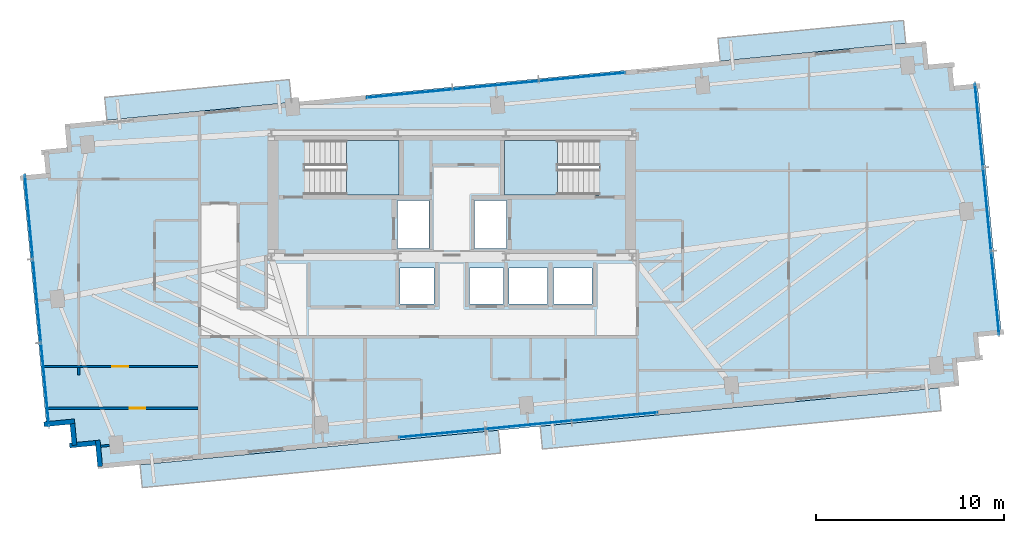
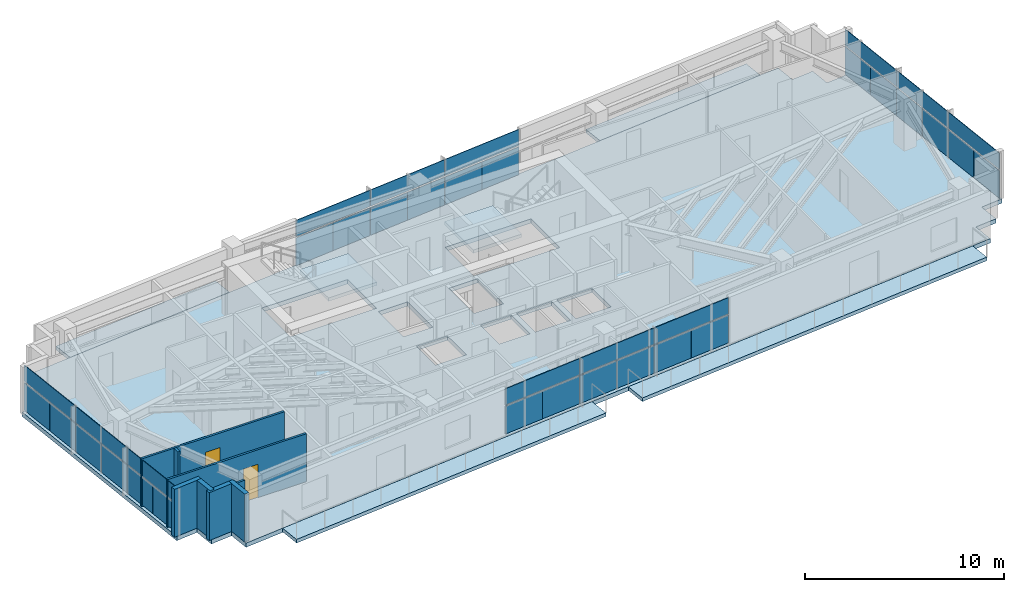
# One storey, part 12 of 18: 36 plates, 8 walls, 7 slabs, 2 doors, 2 openings, 6 elements without a shape of their own.
"""IFC4 building model written with IfcOpenShell, lengths in metres."""

from ifc_helpers import new_model, si_unit, direction, frame, frame_2d, origin, origin_2d, place, context, subcontext, project, spatial, polyline, rectangle, outline, extrude, source, transform, mapped, material, layer, layer_set, type_object, type_shapes, element, fill, aggregate, save


model = new_model("IFC4")

# Units and contexts
model_context = context("Model", 3, precision=1e-05, world=origin(), true_north=direction((0.0, 1.0)))
body_context = subcontext(model_context, "Body", "Model", "MODEL_VIEW")
ifc_project = project(units=[si_unit("LENGTHUNIT", "METRE"), si_unit("AREAUNIT", "SQUARE_METRE"), si_unit("VOLUMEUNIT", "CUBIC_METRE"), si_unit("PLANEANGLEUNIT", "RADIAN"), si_unit("MASSUNIT", "GRAM", prefix="KILO")], contexts=[model_context])

# Site, building, storey
site_placement = place(None, origin())
site = spatial("IfcSite", under=ifc_project, at=site_placement, CompositionType="ELEMENT")
building_placement = place(site_placement, origin())
building = spatial("IfcBuilding", under=site, at=building_placement, Name="Astriad Promenade Condominiums", CompositionType="ELEMENT")
storey_placement = place(building_placement, frame((0.0, 0.0, 173.0)))
storey = spatial("IfcBuildingStorey", under=building, at=storey_placement, Name="L49", CompositionType="ELEMENT", Elevation=173.0)

# Slab
ifc_material_1 = material(Name="Concrete C50/60", Category="concrete")
ifc_layer_1 = layer(ifc_material_1, 0.260009765625)
ifc_layer_set_1 = layer_set([ifc_layer_1], Name="Concrete C50/60")
slab_type_1 = type_object("IfcSlabType", Name="CONCRETE TOWER FLOOR SLAB 260", PredefinedType="FLOOR", material=ifc_layer_set_1)
slab_1_placement = place(storey_placement, frame((0.0, 0.0, -0.260009765625)))
element("IfcSlab", 1, at=slab_1_placement, inside=storey, type_object=slab_type_1, Name="Structural Floor Slab (L49)", PredefinedType="FLOOR", context=body_context, shape_type="SweptSolid", body=[
    extrude(outline(polyline([(17.187744140625, 6.137939453125), (62.975830078125, 10.546875), (62.856201171875, 11.791015625), (64.100341796875, 11.910888671875), (63.98046875, 13.155029296875), (65.224853515625, 13.27490234375), (63.9404296875, 26.61328125), (62.6962890625, 26.493408203125), (62.576416015625, 27.73779296875), (61.33203125, 27.617919921875), (61.21240234375, 28.862060546875), (15.424072265625, 24.453125), (15.5439453125, 23.208984375), (14.2998046875, 23.089111328125), (14.41943359375, 21.844970703125), (13.17529296875, 21.72509765625), (14.459716796875, 8.38671875), (15.703857421875, 8.506591796875), (15.823486328125, 7.26220703125), (17.06787109375, 7.382080078125), (17.187744140625, 6.137939453125)]), holes=[polyline([(28.175048828125, 20.699951171875), (33.175048828125, 20.699951171875), (33.175048828125, 23.60009765625), (28.175048828125, 23.60009765625), (28.175048828125, 20.699951171875)]), polyline([(38.824951171875, 20.699951171875), (43.824951171875, 20.699951171875), (43.824951171875, 23.60009765625), (38.824951171875, 23.60009765625), (38.824951171875, 20.699951171875)]), polyline([(33.10009765625, 17.85009765625), (34.800048828125, 17.85009765625), (34.800048828125, 20.39990234375), (33.10009765625, 20.39990234375), (33.10009765625, 17.85009765625)]), polyline([(37.199951171875, 17.85009765625), (38.89990234375, 17.85009765625), (38.89990234375, 20.39990234375), (37.199951171875, 20.39990234375), (37.199951171875, 17.85009765625)]), polyline([(33.25, 14.89990234375), (35.050048828125, 14.89990234375), (35.050048828125, 16.800048828125), (33.25, 16.800048828125), (33.25, 14.89990234375)]), polyline([(36.949951171875, 14.89990234375), (38.75, 14.89990234375), (38.75, 16.800048828125), (36.949951171875, 16.800048828125), (36.949951171875, 14.89990234375)]), polyline([(39.050048828125, 14.89990234375), (41.10009765625, 14.89990234375), (41.10009765625, 16.800048828125), (39.050048828125, 16.800048828125), (39.050048828125, 14.89990234375)]), polyline([(41.39990234375, 14.89990234375), (43.449951171875, 14.89990234375), (43.449951171875, 16.800048828125), (41.39990234375, 16.800048828125), (41.39990234375, 14.89990234375)])]), origin(), (0.0, 0.0, 1.0), 0.260009765625),
])

# Stair, slab
stair_type = type_object("IfcStairType", Name="STR-CORE-1350", PredefinedType="HALF_TURN_STAIR", material=ifc_material_1)
stair_1_placement = place(storey_placement, origin())
stair_1 = element("IfcStair", 2, at=stair_1_placement, inside=storey, type_object=stair_type, Name="L49 Enclosed Core Exit Stair ST-1", PredefinedType="HALF_TURN_STAIR")
ifc_layer_2 = layer(ifc_material_1, 0.219970703125)
ifc_layer_set_2 = layer_set([ifc_layer_2], Name="Concrete C50/60")
slab_type_2 = type_object("IfcSlabType", Name="SLB-LANDING-220", PredefinedType="LANDING", material=ifc_layer_set_2)
slab_2_placement = place(storey_placement, frame((0.0, 0.0, 1.39990234375)))
slab_2 = element("IfcSlab", 3, at=slab_2_placement, type_object=slab_type_2, Name="ST-1 landing 1", PredefinedType="LANDING", context=body_context, shape_type="SweptSolid", body=[
    extrude(outline(polyline([(30.389892578125, 20.699951171875), (33.199951171875, 20.699951171875), (33.199951171875, 23.60009765625), (30.389892578125, 23.60009765625), (30.389892578125, 20.699951171875)])), origin(), (0.0, 0.0, 1.0), 0.2001953125),
])
aggregate(stair_1, [slab_2])

stair_2_placement = place(storey_placement, origin())
stair_2 = element("IfcStair", 4, at=stair_2_placement, inside=storey, type_object=stair_type, Name="L49 Enclosed Core Exit Stair ST-2", PredefinedType="HALF_TURN_STAIR")
slab_3_placement = place(storey_placement, frame((0.0, 0.0, 1.39990234375)))
slab_3 = element("IfcSlab", 5, at=slab_3_placement, type_object=slab_type_2, Name="ST-2 landing 1", PredefinedType="LANDING", context=body_context, shape_type="SweptSolid", body=[
    extrude(outline(polyline([(41.610107421875, 23.60009765625), (38.800048828125, 23.60009765625), (38.800048828125, 20.699951171875), (41.610107421875, 20.699951171875), (41.610107421875, 23.60009765625)])), origin(), (0.0, 0.0, 1.0), 0.2001953125),
])
aggregate(stair_2, [slab_3])

# Slabs
ifc_material_2 = material(Name="Precast concrete C50/60", Category="concrete")
ifc_layer_3 = layer(ifc_material_2, 0.219970703125)
ifc_layer_set_3 = layer_set([ifc_layer_3], Name="Precast concrete C50/60")
slab_type_3 = type_object("IfcSlabType", Name="WHITE PRECAST CONCRETE WAVE BALCONY SLAB 220", PredefinedType="FLOOR", material=ifc_layer_set_3)
slab_4_placement = place(storey_placement, frame((0.0, 0.0, -0.219970703125)))
element("IfcSlab", 6, at=slab_4_placement, inside=storey, type_object=slab_type_3, Name="White Precast Wave Balcony Slab BAL-L49-SW", PredefinedType="FLOOR", context=body_context, shape_type="SweptSolid", body=[
    extrude(outline(polyline([(38.588134765625, 6.972900390625), (19.546142578125, 5.139404296875), (19.429443359375, 6.351806640625), (38.471435546875, 8.185302734375), (38.588134765625, 6.972900390625)])), origin(), (0.0, 0.0, 1.0), 0.219970703125),
])
slab_5_placement = place(storey_placement, frame((0.0, 0.0, -0.219970703125)))
element("IfcSlab", 7, at=slab_5_placement, inside=storey, type_object=slab_type_3, Name="White Precast Wave Balcony Slab BAL-L49-SE", PredefinedType="FLOOR", context=body_context, shape_type="SweptSolid", body=[
    extrude(outline(polyline([(62.0087890625, 9.22802734375), (40.81884765625, 7.187744140625), (40.7021484375, 8.400146484375), (61.89208984375, 10.4404296875), (62.0087890625, 9.22802734375)])), origin(), (0.0, 0.0, 1.0), 0.219970703125),
])
slab_6_placement = place(storey_placement, frame((0.0, 0.0, -0.219970703125)))
element("IfcSlab", 8, at=slab_6_placement, inside=storey, type_object=slab_type_3, Name="White Precast Wave Balcony Slab BAL-L49-NW", PredefinedType="FLOOR", context=body_context, shape_type="SweptSolid", body=[
    extrude(outline(polyline([(17.548828125, 25.88330078125), (27.361328125, 26.828369140625), (27.478271484375, 25.615966796875), (17.66552734375, 24.6708984375), (17.548828125, 25.88330078125)])), origin(), (0.0, 0.0, 1.0), 0.219970703125),
])
slab_7_placement = place(storey_placement, frame((0.0, 0.0, -0.219970703125)))
element("IfcSlab", 9, at=slab_7_placement, inside=storey, type_object=slab_type_3, Name="White Precast Wave Balcony Slab BAL-L49-NE", PredefinedType="FLOOR", context=body_context, shape_type="SweptSolid", body=[
    extrude(outline(polyline([(50.14599609375, 29.022216796875), (60.011474609375, 29.97216796875), (60.128173828125, 28.759765625), (50.2626953125, 27.809814453125), (50.14599609375, 29.022216796875)])), origin(), (0.0, 0.0, 1.0), 0.219970703125),
])

# Curtain wall, plates
ifc_material_3 = material(Name="Anodised aluminium Black Dark Glass Unitised", Category="aluminium")
curtain_wall_type = type_object("IfcCurtainWallType", Name="CW-B34-DARK", PredefinedType="USERDEFINED", material=ifc_material_3)
curtain_wall_1_placement = place(storey_placement, origin())
curtain_wall_1 = element("IfcCurtainWall", 10, at=curtain_wall_1_placement, inside=storey, type_object=curtain_wall_type, Name="CW-L49-W", ObjectType="UNITISED_CURTAIN_WALL", PredefinedType="USERDEFINED")
ifc_material_4 = material(Name="Dark Tinted Low-E Laminated Glass", Category="glass")
ifc_layer_4 = layer(ifc_material_4, 0.035888671875)
ifc_layer_set_4 = layer_set([ifc_layer_4], Name="Dark Tinted Low-E Laminated Glass")
plate_type = type_object("IfcPlateType", Name="PNL-DARK-GLASS-36", PredefinedType="CURTAIN_PANEL", material=ifc_layer_set_4)
shared_shape_1 = source(origin(), body_context, "Body", "SweptSolid", [
    extrude(rectangle(XDim=2.22119140625, YDim=0.035888671875, at=origin_2d()), origin(), (0.0, 0.0, 1.0), 1.702880859375),
])
plate_1_placement = place(storey_placement, frame((14.48193359375, 9.5107421875, 0.080078125), z_axis=(0.0, 0.0, 1.0), x_axis=(-0.09584575252, 0.995396198367, 0.0)))
plate_1 = element("IfcPlate", 11, at=plate_1_placement, type_object=plate_type, Name="CW-L49-W-PNL-00-VL", PredefinedType="CURTAIN_PANEL", context=body_context, shape_type="MappedRepresentation", body=[
    mapped(shared_shape_1, transform((0.0, 0.0, 0.0), scale=1.0)),
])
plate_2_placement = place(storey_placement, frame((14.267822265625, 11.73388671875, 0.080078125), z_axis=(0.0, 0.0, 1.0), x_axis=(-0.09584575252, 0.995396198367, 0.0)))
plate_2 = element("IfcPlate", 12, at=plate_2_placement, type_object=plate_type, Name="CW-L49-W-PNL-00-VR", PredefinedType="CURTAIN_PANEL", context=body_context, shape_type="MappedRepresentation", body=[
    mapped(shared_shape_1, transform((0.0, 0.0, 0.0), scale=1.0)),
])
plate_3_placement = place(storey_placement, frame((14.053955078125, 13.956787109375, 0.080078125), z_axis=(0.0, 0.0, 1.0), x_axis=(-0.09584575252, 0.995396198367, 0.0)))
plate_3 = element("IfcPlate", 13, at=plate_3_placement, type_object=plate_type, Name="CW-L49-W-PNL-01-VL", PredefinedType="CURTAIN_PANEL", context=body_context, shape_type="MappedRepresentation", body=[
    mapped(shared_shape_1, transform((0.0, 0.0, 0.0), scale=1.0)),
])
plate_4_placement = place(storey_placement, frame((13.839599609375, 16.179931640625, 0.080078125), z_axis=(0.0, 0.0, 1.0), x_axis=(-0.09584575252, 0.995396198367, 0.0)))
plate_4 = element("IfcPlate", 14, at=plate_4_placement, type_object=plate_type, Name="CW-L49-W-PNL-01-VR", PredefinedType="CURTAIN_PANEL", context=body_context, shape_type="MappedRepresentation", body=[
    mapped(shared_shape_1, transform((0.0, 0.0, 0.0), scale=1.0)),
])
plate_5_placement = place(storey_placement, frame((13.625732421875, 18.403076171875, 0.080078125), z_axis=(0.0, 0.0, 1.0), x_axis=(-0.09584575252, 0.995396198367, 0.0)))
plate_5 = element("IfcPlate", 15, at=plate_5_placement, type_object=plate_type, Name="CW-L49-W-PNL-02-VL", PredefinedType="CURTAIN_PANEL", context=body_context, shape_type="MappedRepresentation", body=[
    mapped(shared_shape_1, transform((0.0, 0.0, 0.0), scale=1.0)),
])
plate_6_placement = place(storey_placement, frame((13.41162109375, 20.626220703125, 0.080078125), z_axis=(0.0, 0.0, 1.0), x_axis=(-0.09584575252, 0.995396198367, 0.0)))
plate_6 = element("IfcPlate", 16, at=plate_6_placement, type_object=plate_type, Name="CW-L49-W-PNL-02-VR", PredefinedType="CURTAIN_PANEL", context=body_context, shape_type="MappedRepresentation", body=[
    mapped(shared_shape_1, transform((0.0, 0.0, 0.0), scale=1.0)),
])

curtain_wall_2_placement = place(storey_placement, origin())
curtain_wall_2 = element("IfcCurtainWall", 17, at=curtain_wall_2_placement, inside=storey, type_object=curtain_wall_type, Name="CW-L49-E", ObjectType="UNITISED_CURTAIN_WALL", PredefinedType="USERDEFINED")
plate_7_placement = place(storey_placement, frame((63.91796875, 25.4892578125, 0.080078125), z_axis=(0.0, 0.0, 1.0), x_axis=(0.09584575252, -0.995396198367, 0.0)))
plate_7 = element("IfcPlate", 18, at=plate_7_placement, type_object=plate_type, Name="CW-L49-E-PNL-00-VL", PredefinedType="CURTAIN_PANEL", context=body_context, shape_type="MappedRepresentation", body=[
    mapped(shared_shape_1, transform((0.0, 0.0, 0.0), scale=1.0)),
])
plate_8_placement = place(storey_placement, frame((64.132080078125, 23.26611328125, 0.080078125), z_axis=(0.0, 0.0, 1.0), x_axis=(0.09584575252, -0.995396198367, 0.0)))
plate_8 = element("IfcPlate", 19, at=plate_8_placement, type_object=plate_type, Name="CW-L49-E-PNL-00-VR", PredefinedType="CURTAIN_PANEL", context=body_context, shape_type="MappedRepresentation", body=[
    mapped(shared_shape_1, transform((0.0, 0.0, 0.0), scale=1.0)),
])
plate_9_placement = place(storey_placement, frame((64.34619140625, 21.043212890625, 0.080078125), z_axis=(0.0, 0.0, 1.0), x_axis=(0.09584575252, -0.995396198367, 0.0)))
plate_9 = element("IfcPlate", 20, at=plate_9_placement, type_object=plate_type, Name="CW-L49-E-PNL-01-VL", PredefinedType="CURTAIN_PANEL", context=body_context, shape_type="MappedRepresentation", body=[
    mapped(shared_shape_1, transform((0.0, 0.0, 0.0), scale=1.0)),
])
plate_10_placement = place(storey_placement, frame((64.560302734375, 18.820068359375, 0.080078125), z_axis=(0.0, 0.0, 1.0), x_axis=(0.09584575252, -0.995396198367, 0.0)))
plate_10 = element("IfcPlate", 21, at=plate_10_placement, type_object=plate_type, Name="CW-L49-E-PNL-01-VR", PredefinedType="CURTAIN_PANEL", context=body_context, shape_type="MappedRepresentation", body=[
    mapped(shared_shape_1, transform((0.0, 0.0, 0.0), scale=1.0)),
])
plate_11_placement = place(storey_placement, frame((64.7744140625, 16.596923828125, 0.080078125), z_axis=(0.0, 0.0, 1.0), x_axis=(0.09584575252, -0.995396198367, 0.0)))
plate_11 = element("IfcPlate", 22, at=plate_11_placement, type_object=plate_type, Name="CW-L49-E-PNL-02-VL", PredefinedType="CURTAIN_PANEL", context=body_context, shape_type="MappedRepresentation", body=[
    mapped(shared_shape_1, transform((0.0, 0.0, 0.0), scale=1.0)),
])
plate_12_placement = place(storey_placement, frame((64.98828125, 14.373779296875, 0.080078125), z_axis=(0.0, 0.0, 1.0), x_axis=(0.09584575252, -0.995396198367, 0.0)))
plate_12 = element("IfcPlate", 23, at=plate_12_placement, type_object=plate_type, Name="CW-L49-E-PNL-02-VR", PredefinedType="CURTAIN_PANEL", context=body_context, shape_type="MappedRepresentation", body=[
    mapped(shared_shape_1, transform((0.0, 0.0, 0.0), scale=1.0)),
])

# Plate
shared_shape_2 = source(origin(), body_context, "Body", "SweptSolid", [
    extrude(rectangle(XDim=4.45458984375, YDim=0.035888671875, at=origin_2d()), origin(), (0.0, 0.0, 1.0), 0.997314453125),
])
plate_13_placement = place(storey_placement, frame((14.375, 10.622314453125, 1.86279296875), z_axis=(0.0, 0.0, 1.0), x_axis=(-0.09584575252, 0.995396198367, 0.0)))
plate_13 = element("IfcPlate", 24, at=plate_13_placement, type_object=plate_type, Name="CW-L49-W-PNL-00-S", PredefinedType="CURTAIN_PANEL", context=body_context, shape_type="MappedRepresentation", body=[
    mapped(shared_shape_2, transform((0.0, 0.0, 0.0), scale=1.0)),
])

plate_14_placement = place(storey_placement, frame((13.94677734375, 15.068359375, 1.86279296875), z_axis=(0.0, 0.0, 1.0), x_axis=(-0.09584575252, 0.995396198367, 0.0)))
plate_14 = element("IfcPlate", 25, at=plate_14_placement, type_object=plate_type, Name="CW-L49-W-PNL-01-S", PredefinedType="CURTAIN_PANEL", context=body_context, shape_type="MappedRepresentation", body=[
    mapped(shared_shape_2, transform((0.0, 0.0, 0.0), scale=1.0)),
])

plate_15_placement = place(storey_placement, frame((13.518798828125, 19.514404296875, 1.86279296875), z_axis=(0.0, 0.0, 1.0), x_axis=(-0.09584575252, 0.995396198367, 0.0)))
plate_15 = element("IfcPlate", 26, at=plate_15_placement, type_object=plate_type, Name="CW-L49-W-PNL-02-S", PredefinedType="CURTAIN_PANEL", context=body_context, shape_type="MappedRepresentation", body=[
    mapped(shared_shape_2, transform((0.0, 0.0, 0.0), scale=1.0)),
])

aggregate(curtain_wall_1, [plate_1, plate_2, plate_13, plate_3, plate_4, plate_14, plate_5, plate_6, plate_15])

plate_16_placement = place(storey_placement, frame((64.02490234375, 24.377685546875, 1.86279296875), z_axis=(0.0, 0.0, 1.0), x_axis=(0.09584575252, -0.995396198367, 0.0)))
plate_16 = element("IfcPlate", 27, at=plate_16_placement, type_object=plate_type, Name="CW-L49-E-PNL-00-S", PredefinedType="CURTAIN_PANEL", context=body_context, shape_type="MappedRepresentation", body=[
    mapped(shared_shape_2, transform((0.0, 0.0, 0.0), scale=1.0)),
])

plate_17_placement = place(storey_placement, frame((64.453125, 19.931640625, 1.86279296875), z_axis=(0.0, 0.0, 1.0), x_axis=(0.09584575252, -0.995396198367, 0.0)))
plate_17 = element("IfcPlate", 28, at=plate_17_placement, type_object=plate_type, Name="CW-L49-E-PNL-01-S", PredefinedType="CURTAIN_PANEL", context=body_context, shape_type="MappedRepresentation", body=[
    mapped(shared_shape_2, transform((0.0, 0.0, 0.0), scale=1.0)),
])

plate_18_placement = place(storey_placement, frame((64.88134765625, 15.485595703125, 1.86279296875), z_axis=(0.0, 0.0, 1.0), x_axis=(0.09584575252, -0.995396198367, 0.0)))
plate_18 = element("IfcPlate", 29, at=plate_18_placement, type_object=plate_type, Name="CW-L49-E-PNL-02-S", PredefinedType="CURTAIN_PANEL", context=body_context, shape_type="MappedRepresentation", body=[
    mapped(shared_shape_2, transform((0.0, 0.0, 0.0), scale=1.0)),
])

aggregate(curtain_wall_2, [plate_7, plate_8, plate_16, plate_9, plate_10, plate_17, plate_11, plate_12, plate_18])

# Curtain wall, plates
curtain_wall_3_placement = place(storey_placement, origin())
curtain_wall_3 = element("IfcCurtainWall", 30, at=curtain_wall_3_placement, inside=storey, type_object=curtain_wall_type, Name="CW-L49-N", ObjectType="UNITISED_CURTAIN_WALL", PredefinedType="USERDEFINED")
shared_shape_3 = source(origin(), body_context, "Body", "SweptSolid", [
    extrude(rectangle(XDim=2.2880859375, YDim=0.035888671875, at=origin_2d()), origin(), (0.0, 0.0, 1.0), 1.702880859375),
])
plate_19_placement = place(storey_placement, frame((32.607177734375, 25.97705078125, 0.080078125), z_axis=(0.0, 0.0, 1.0), x_axis=(0.995396198367, 0.09584575252, 0.0)))
plate_19 = element("IfcPlate", 31, at=plate_19_placement, type_object=plate_type, Name="CW-L49-N-PNL-00-VL", PredefinedType="CURTAIN_PANEL", context=body_context, shape_type="MappedRepresentation", body=[
    mapped(shared_shape_3, transform((0.0, 0.0, 0.0), scale=1.0)),
])
plate_20_placement = place(storey_placement, frame((34.896484375, 26.197509765625, 0.080078125), z_axis=(0.0, 0.0, 1.0), x_axis=(0.995396198367, 0.09584575252, 0.0)))
plate_20 = element("IfcPlate", 32, at=plate_20_placement, type_object=plate_type, Name="CW-L49-N-PNL-00-VR", PredefinedType="CURTAIN_PANEL", context=body_context, shape_type="MappedRepresentation", body=[
    mapped(shared_shape_3, transform((0.0, 0.0, 0.0), scale=1.0)),
])
plate_21_placement = place(storey_placement, frame((37.18603515625, 26.41796875, 0.080078125), z_axis=(0.0, 0.0, 1.0), x_axis=(0.995396198367, 0.09584575252, 0.0)))
plate_21 = element("IfcPlate", 33, at=plate_21_placement, type_object=plate_type, Name="CW-L49-N-PNL-01-VL", PredefinedType="CURTAIN_PANEL", context=body_context, shape_type="MappedRepresentation", body=[
    mapped(shared_shape_3, transform((0.0, 0.0, 0.0), scale=1.0)),
])
plate_22_placement = place(storey_placement, frame((39.475341796875, 26.638427734375, 0.080078125), z_axis=(0.0, 0.0, 1.0), x_axis=(0.995396198367, 0.09584575252, 0.0)))
plate_22 = element("IfcPlate", 34, at=plate_22_placement, type_object=plate_type, Name="CW-L49-N-PNL-01-VR", PredefinedType="CURTAIN_PANEL", context=body_context, shape_type="MappedRepresentation", body=[
    mapped(shared_shape_3, transform((0.0, 0.0, 0.0), scale=1.0)),
])
plate_23_placement = place(storey_placement, frame((41.764892578125, 26.85888671875, 0.080078125), z_axis=(0.0, 0.0, 1.0), x_axis=(0.995396198367, 0.09584575252, 0.0)))
plate_23 = element("IfcPlate", 35, at=plate_23_placement, type_object=plate_type, Name="CW-L49-N-PNL-02-VL", PredefinedType="CURTAIN_PANEL", context=body_context, shape_type="MappedRepresentation", body=[
    mapped(shared_shape_3, transform((0.0, 0.0, 0.0), scale=1.0)),
])
plate_24_placement = place(storey_placement, frame((44.05419921875, 27.079345703125, 0.080078125), z_axis=(0.0, 0.0, 1.0), x_axis=(0.995396198367, 0.09584575252, 0.0)))
plate_24 = element("IfcPlate", 36, at=plate_24_placement, type_object=plate_type, Name="CW-L49-N-PNL-02-VR", PredefinedType="CURTAIN_PANEL", context=body_context, shape_type="MappedRepresentation", body=[
    mapped(shared_shape_3, transform((0.0, 0.0, 0.0), scale=1.0)),
])

curtain_wall_4_placement = place(storey_placement, origin())
curtain_wall_4 = element("IfcCurtainWall", 37, at=curtain_wall_4_placement, inside=storey, type_object=curtain_wall_type, Name="CW-L49-S", ObjectType="UNITISED_CURTAIN_WALL", PredefinedType="USERDEFINED")
plate_25_placement = place(storey_placement, frame((45.792724609375, 9.02294921875, 0.080078125), z_axis=(0.0, 0.0, 1.0), x_axis=(-0.995396198367, -0.09584575252, 0.0)))
plate_25 = element("IfcPlate", 38, at=plate_25_placement, type_object=plate_type, Name="CW-L49-S-PNL-00-VL", PredefinedType="CURTAIN_PANEL", context=body_context, shape_type="MappedRepresentation", body=[
    mapped(shared_shape_3, transform((0.0, 0.0, 0.0), scale=1.0)),
])
plate_26_placement = place(storey_placement, frame((43.50341796875, 8.802490234375, 0.080078125), z_axis=(0.0, 0.0, 1.0), x_axis=(-0.995396198367, -0.09584575252, 0.0)))
plate_26 = element("IfcPlate", 39, at=plate_26_placement, type_object=plate_type, Name="CW-L49-S-PNL-00-VR", PredefinedType="CURTAIN_PANEL", context=body_context, shape_type="MappedRepresentation", body=[
    mapped(shared_shape_3, transform((0.0, 0.0, 0.0), scale=1.0)),
])
plate_27_placement = place(storey_placement, frame((41.214111328125, 8.58203125, 0.080078125), z_axis=(0.0, 0.0, 1.0), x_axis=(-0.995396198367, -0.09584575252, 0.0)))
plate_27 = element("IfcPlate", 40, at=plate_27_placement, type_object=plate_type, Name="CW-L49-S-PNL-01-VL", PredefinedType="CURTAIN_PANEL", context=body_context, shape_type="MappedRepresentation", body=[
    mapped(shared_shape_3, transform((0.0, 0.0, 0.0), scale=1.0)),
])
plate_28_placement = place(storey_placement, frame((38.924560546875, 8.361572265625, 0.080078125), z_axis=(0.0, 0.0, 1.0), x_axis=(-0.995396198367, -0.09584575252, 0.0)))
plate_28 = element("IfcPlate", 41, at=plate_28_placement, type_object=plate_type, Name="CW-L49-S-PNL-01-VR", PredefinedType="CURTAIN_PANEL", context=body_context, shape_type="MappedRepresentation", body=[
    mapped(shared_shape_3, transform((0.0, 0.0, 0.0), scale=1.0)),
])
plate_29_placement = place(storey_placement, frame((36.63525390625, 8.14111328125, 0.080078125), z_axis=(0.0, 0.0, 1.0), x_axis=(-0.995396198367, -0.09584575252, 0.0)))
plate_29 = element("IfcPlate", 42, at=plate_29_placement, type_object=plate_type, Name="CW-L49-S-PNL-02-VL", PredefinedType="CURTAIN_PANEL", context=body_context, shape_type="MappedRepresentation", body=[
    mapped(shared_shape_3, transform((0.0, 0.0, 0.0), scale=1.0)),
])
plate_30_placement = place(storey_placement, frame((34.345703125, 7.920654296875, 0.080078125), z_axis=(0.0, 0.0, 1.0), x_axis=(-0.995396198367, -0.09584575252, 0.0)))
plate_30 = element("IfcPlate", 43, at=plate_30_placement, type_object=plate_type, Name="CW-L49-S-PNL-02-VR", PredefinedType="CURTAIN_PANEL", context=body_context, shape_type="MappedRepresentation", body=[
    mapped(shared_shape_3, transform((0.0, 0.0, 0.0), scale=1.0)),
])

# Plate
shared_shape_4 = source(origin(), body_context, "Body", "SweptSolid", [
    extrude(rectangle(XDim=4.587890625, YDim=0.035888671875, at=origin_2d()), origin(), (0.0, 0.0, 1.0), 0.997314453125),
])
type_shapes(plate_type, [shared_shape_1, shared_shape_2, shared_shape_3, shared_shape_4])
plate_31_placement = place(storey_placement, frame((33.751953125, 26.08740234375, 1.86279296875), z_axis=(0.0, 0.0, 1.0), x_axis=(0.995396198367, 0.09584575252, 0.0)))
plate_31 = element("IfcPlate", 44, at=plate_31_placement, type_object=plate_type, Name="CW-L49-N-PNL-00-S", PredefinedType="CURTAIN_PANEL", context=body_context, shape_type="MappedRepresentation", body=[
    mapped(shared_shape_4, transform((0.0, 0.0, 0.0), scale=1.0)),
])

plate_32_placement = place(storey_placement, frame((38.330810546875, 26.5283203125, 1.86279296875), z_axis=(0.0, 0.0, 1.0), x_axis=(0.995396198367, 0.09584575252, 0.0)))
plate_32 = element("IfcPlate", 45, at=plate_32_placement, type_object=plate_type, Name="CW-L49-N-PNL-01-S", PredefinedType="CURTAIN_PANEL", context=body_context, shape_type="MappedRepresentation", body=[
    mapped(shared_shape_4, transform((0.0, 0.0, 0.0), scale=1.0)),
])

plate_33_placement = place(storey_placement, frame((42.909423828125, 26.968994140625, 1.86279296875), z_axis=(0.0, 0.0, 1.0), x_axis=(0.995396198367, 0.09584575252, 0.0)))
plate_33 = element("IfcPlate", 46, at=plate_33_placement, type_object=plate_type, Name="CW-L49-N-PNL-02-S", PredefinedType="CURTAIN_PANEL", context=body_context, shape_type="MappedRepresentation", body=[
    mapped(shared_shape_4, transform((0.0, 0.0, 0.0), scale=1.0)),
])

aggregate(curtain_wall_3, [plate_19, plate_20, plate_31, plate_21, plate_22, plate_32, plate_23, plate_24, plate_33])

plate_34_placement = place(storey_placement, frame((44.648193359375, 8.91259765625, 1.86279296875), z_axis=(0.0, 0.0, 1.0), x_axis=(-0.995396198367, -0.09584575252, 0.0)))
plate_34 = element("IfcPlate", 47, at=plate_34_placement, type_object=plate_type, Name="CW-L49-S-PNL-00-S", PredefinedType="CURTAIN_PANEL", context=body_context, shape_type="MappedRepresentation", body=[
    mapped(shared_shape_4, transform((0.0, 0.0, 0.0), scale=1.0)),
])

plate_35_placement = place(storey_placement, frame((40.0693359375, 8.4716796875, 1.86279296875), z_axis=(0.0, 0.0, 1.0), x_axis=(-0.995396198367, -0.09584575252, 0.0)))
plate_35 = element("IfcPlate", 48, at=plate_35_placement, type_object=plate_type, Name="CW-L49-S-PNL-01-S", PredefinedType="CURTAIN_PANEL", context=body_context, shape_type="MappedRepresentation", body=[
    mapped(shared_shape_4, transform((0.0, 0.0, 0.0), scale=1.0)),
])

plate_36_placement = place(storey_placement, frame((35.490478515625, 8.031005859375, 1.86279296875), z_axis=(0.0, 0.0, 1.0), x_axis=(-0.995396198367, -0.09584575252, 0.0)))
plate_36 = element("IfcPlate", 49, at=plate_36_placement, type_object=plate_type, Name="CW-L49-S-PNL-02-S", PredefinedType="CURTAIN_PANEL", context=body_context, shape_type="MappedRepresentation", body=[
    mapped(shared_shape_4, transform((0.0, 0.0, 0.0), scale=1.0)),
])

aggregate(curtain_wall_4, [plate_25, plate_26, plate_34, plate_27, plate_28, plate_35, plate_29, plate_30, plate_36])

# Walls
ifc_layer_5 = layer(ifc_material_2, 0.260009765625)
ifc_layer_set_5 = layer_set([ifc_layer_5], Name="Precast concrete C50/60")
wall_type_1 = type_object("IfcWallType", Name="WALL-EXT-TWR-260", PredefinedType="STANDARD", material=ifc_layer_set_5)
wall_1_placement = place(storey_placement, frame((17.0703125, 7.512939453125, 0.0), z_axis=(0.0, 0.0, 1.0), x_axis=(-0.995391056452, -0.09589913835, 0.0)))
element("IfcWall", 50, at=wall_1_placement, inside=storey, type_object=wall_type_1, Name="W-SER-L49-00", PredefinedType="STANDARD", context=body_context, shape_type="SweptSolid", body=[
    extrude(rectangle(XDim=1.39501953125, YDim=0.260009765625, at=frame_2d((0.697509765625, 0.0))), origin(), (0.0, 0.0, 1.0), 2.93994140625),
])
wall_2_placement = place(storey_placement, frame((15.94189453125, 7.389404296875, 0.0), z_axis=(0.0, 0.0, 1.0), x_axis=(-0.09576095695, 0.995404359607, 0.0)))
element("IfcWall", 51, at=wall_2_placement, inside=storey, type_object=wall_type_1, Name="W-SER-L49-01", PredefinedType="STANDARD", context=body_context, shape_type="SweptSolid", body=[
    extrude(rectangle(XDim=1.14990234375, YDim=0.260009765625, at=frame_2d((0.574951171875, 0.0))), origin(), (0.0, 0.0, 1.0), 2.93994140625),
])
wall_3_placement = place(storey_placement, frame((15.9501953125, 8.660888671875, 0.0), z_axis=(0.0, 0.0, 1.0), x_axis=(-0.995394563142, -0.095862733462, 0.0)))
element("IfcWall", 52, at=wall_3_placement, inside=storey, type_object=wall_type_1, Name="W-SER-L49-02", PredefinedType="STANDARD", context=body_context, shape_type="SweptSolid", body=[
    extrude(rectangle(XDim=1.64013671875, YDim=0.260009765625, at=frame_2d((0.820068359375, 0.0))), origin(), (0.0, 0.0, 1.0), 2.93994140625),
])
wall_4_placement = place(storey_placement, frame((17.30615234375, 6.264892578125, 0.0), z_axis=(0.0, 0.0, 1.0), x_axis=(-0.095915846097, 0.995389446633, 0.0)))
element("IfcWall", 53, at=wall_4_placement, inside=storey, type_object=wall_type_1, Name="W-SER-L49-19", PredefinedType="STANDARD", context=body_context, shape_type="SweptSolid", body=[
    extrude(rectangle(XDim=1.394775390625, YDim=0.260009765625, at=frame_2d((0.697265625, 0.0))), origin(), (0.0, 0.0, 1.0), 2.93994140625),
])

# Wall, opening, door
ifc_material_5 = material(Name="Acoustic Metal-Stud Gypsum Partition")
ifc_layer_6 = layer(ifc_material_5, 0.1201171875)
ifc_layer_set_6 = layer_set([ifc_layer_6], Name="Acoustic Metal-Stud Gypsum Partition")
wall_type_2 = type_object("IfcWallType", Name="WALL-PART-120", PredefinedType="PARTITIONING", material=ifc_layer_set_6)
wall_5_placement = place(storey_placement, frame((14.447021484375, 9.35302734375, 0.0), z_axis=(0.0, 0.0, 1.0), x_axis=(1.0, 0.0, 0.0)))
wall_5 = element("IfcWall", 54, at=wall_5_placement, inside=storey, type_object=wall_type_2, Name="PT-L49-W1-B2", PredefinedType="PARTITIONING", context=body_context, shape_type="SweptSolid", body=[
    extrude(rectangle(XDim=8.071044921875, YDim=0.1201171875, at=frame_2d((4.03564453125, 0.0))), origin(), (0.0, 0.0, 1.0), 2.93994140625),
])
opening_1_placement = place(wall_5_placement, frame((4.419921875, 0.0, 0.0)))
opening_1 = element("IfcOpeningElement", 55, at=opening_1_placement, cuts=wall_5, Name="Opening D-INT-085", PredefinedType="OPENING", context=body_context, shape_type="SweptSolid", body=[
    extrude(rectangle(XDim=0.85009765625, YDim=2.050048828125, at=frame_2d((0.425048828125, 1.02490234375))), frame((0.0, 0.070068359375, 0.0), z_axis=(0.0, -1.0, 0.0), x_axis=(1.0, 0.0, 0.0)), (0.0, 0.0, 1.0), 0.14013671875),
])
ifc_material_6 = material(Name="Painted Solid-Core Timber Room Door", Category="wood")
door_type = type_object("IfcDoorType", Name="D-INT-085", OperationType="NOTDEFINED", PredefinedType="DOOR", material=ifc_material_6)
shared_shape_5 = source(origin(), body_context, "Body", "SweptSolid", [
    extrude(rectangle(XDim=0.85009765625, YDim=2.050048828125, at=frame_2d((0.425048828125, 1.02490234375))), frame((0.0, 0.02490234375, 0.0), z_axis=(0.0, -1.0, 0.0), x_axis=(1.0, 0.0, 0.0)), (0.0, 0.0, 1.0), 0.050048828125),
])
type_shapes(door_type, [shared_shape_5])
door_1_placement = place(opening_1_placement, origin())
door_1 = element("IfcDoor", 56, at=door_1_placement, inside=storey, type_object=door_type, Name="D-BD2-L49-W1", OperationType="SINGLE_SWING_LEFT", OverallHeight=2.050048828125, OverallWidth=0.85009765625, PredefinedType="DOOR", context=body_context, shape_type="MappedRepresentation", body=[
    mapped(shared_shape_5, transform((0.0, 0.0, 0.0), scale=1.0)),
])
fill(opening_1, door_1)

wall_6_placement = place(storey_placement, frame((14.232666015625, 11.577880859375, 0.0), z_axis=(0.0, 0.0, 1.0), x_axis=(1.0, 0.0, 0.0)))
wall_6 = element("IfcWall", 57, at=wall_6_placement, inside=storey, type_object=wall_type_2, Name="PT-L49-W1-WDS1", PredefinedType="PARTITIONING", context=body_context, shape_type="SweptSolid", body=[
    extrude(rectangle(XDim=8.285400390625, YDim=0.1201171875, at=frame_2d((4.142578125, 0.0))), origin(), (0.0, 0.0, 1.0), 2.93994140625),
])
opening_2_placement = place(wall_6_placement, frame((3.711181640625, 0.0, 0.0)))
opening_2 = element("IfcOpeningElement", 58, at=opening_2_placement, cuts=wall_6, Name="Opening D-INT-085", PredefinedType="OPENING", context=body_context, shape_type="SweptSolid", body=[
    extrude(rectangle(XDim=0.85009765625, YDim=2.050048828125, at=frame_2d((0.425048828125, 1.02490234375))), frame((0.0, 0.070068359375, 0.0), z_axis=(0.0, -1.0, 0.0), x_axis=(1.0, 0.0, 0.0)), (0.0, 0.0, 1.0), 0.14013671875),
])
door_2_placement = place(opening_2_placement, origin())
door_2 = element("IfcDoor", 59, at=door_2_placement, inside=storey, type_object=door_type, Name="D-WDS1-L49-W1", OperationType="SINGLE_SWING_RIGHT", OverallHeight=2.050048828125, OverallWidth=0.85009765625, PredefinedType="DOOR", context=body_context, shape_type="MappedRepresentation", body=[
    mapped(shared_shape_5, transform((0.0, 0.0, 0.0), scale=1.0)),
])
fill(opening_2, door_2)

# Walls
wall_7_placement = place(storey_placement, frame((16.175048828125, 11.137939453125, 0.0), z_axis=(0.0, 0.0, 1.0), x_axis=(0.0, 1.0, 0.0)))
element("IfcWall", 60, at=wall_7_placement, inside=storey, type_object=wall_type_2, Name="PT-L49-W1-WDV2", PredefinedType="PARTITIONING", context=body_context, shape_type="SweptSolid", body=[
    extrude(rectangle(XDim=0.378173828125, YDim=0.1201171875, at=frame_2d((0.18896484375, 0.0))), origin(), (0.0, 0.0, 1.0), 2.93994140625),
])
wall_8_placement = place(storey_placement, frame((17.791259765625, 7.381591796875, 0.0), z_axis=(0.0, 0.0, 1.0), x_axis=(-0.995384576284, -0.09596637586, 0.0)))
element("IfcWall", 61, at=wall_8_placement, inside=storey, type_object=wall_type_2, Name="PT-PIL-L49-PC01-8", PredefinedType="PARTITIONING", context=body_context, shape_type="SweptSolid", body=[
    extrude(rectangle(XDim=0.4580078125, YDim=0.1201171875, at=frame_2d((0.22900390625, 0.0))), origin(), (0.0, 0.0, 1.0), 2.93994140625),
])

save(model, "model.ifc")
